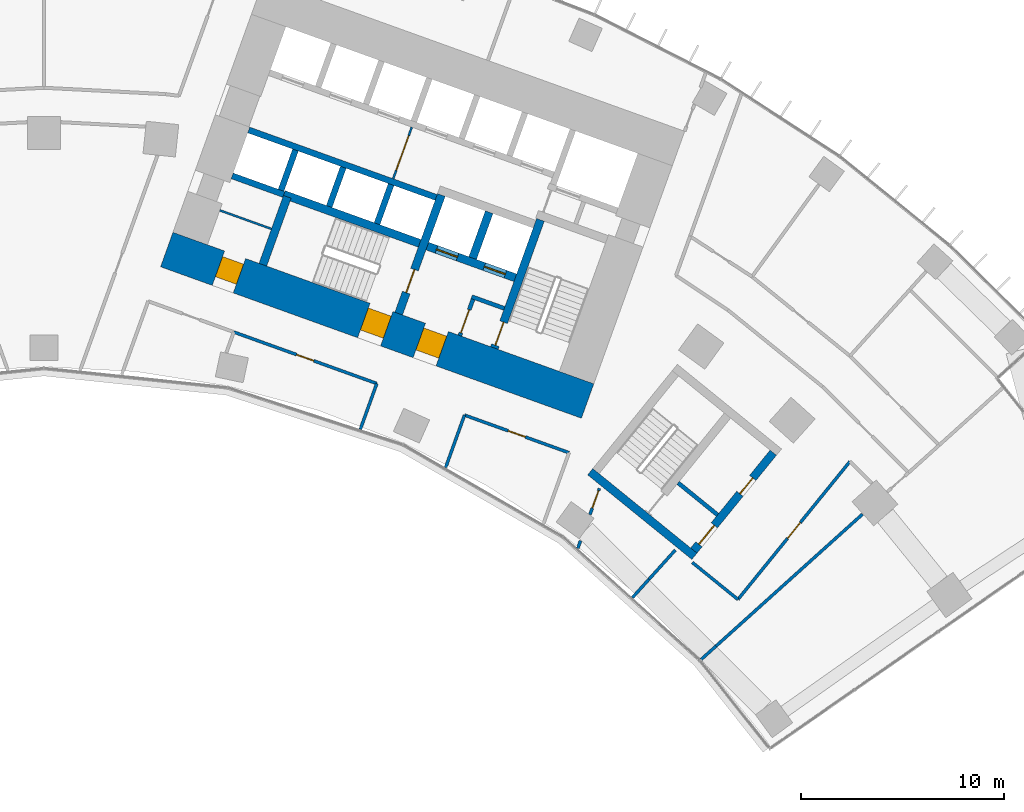
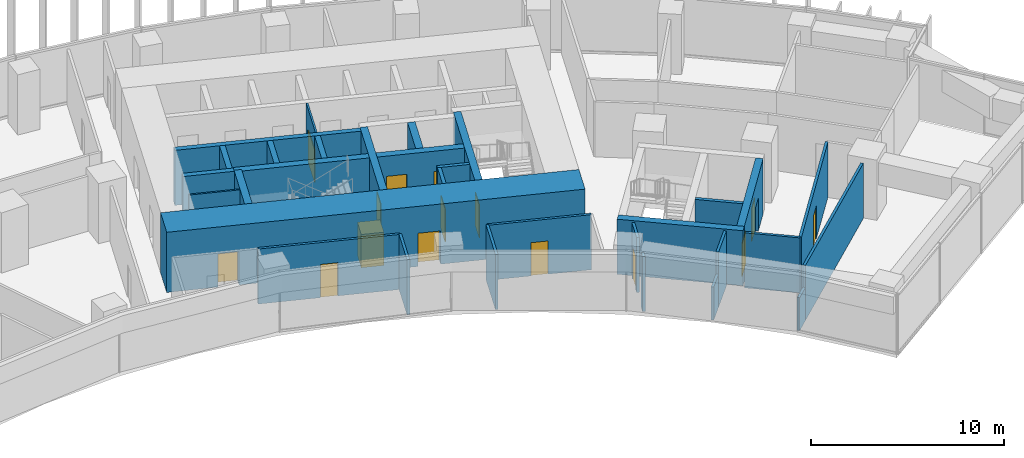
# One storey, part 20 of 24: 30 walls, 15 doors, 15 openings.
"""IFC4 building model written with IfcOpenShell, lengths in metres."""

from ifc_helpers import new_model, si_unit, direction, frame, frame_2d, origin, place, context, subcontext, project, spatial, rectangle, extrude, material, layer, layer_set, type_object, element, fill, save


model = new_model("IFC4")

# Units and contexts
model_context = context("Model", 3, precision=1e-05, world=origin(), true_north=direction((0.0, 1.0)))
body_context = subcontext(model_context, "Body", "Model", "MODEL_VIEW")
ifc_project = project(units=[si_unit("LENGTHUNIT", "METRE"), si_unit("AREAUNIT", "SQUARE_METRE"), si_unit("VOLUMEUNIT", "CUBIC_METRE"), si_unit("PLANEANGLEUNIT", "RADIAN"), si_unit("MASSUNIT", "GRAM", prefix="KILO")], contexts=[model_context])

# Site, building, storey
site_placement = place(None, origin())
site = spatial("IfcSite", under=ifc_project, at=site_placement, CompositionType="ELEMENT")
building_placement = place(site_placement, origin())
building = spatial("IfcBuilding", under=site, at=building_placement, Name="Stone Belt Terrace Tower", CompositionType="ELEMENT")
storey_placement = place(building_placement, frame((0.0, 0.0, 64.199951171875)))
storey = spatial("IfcBuildingStorey", under=building, at=storey_placement, Name="L15", CompositionType="ELEMENT", Elevation=64.199951171875)

# Wall, opening, door
ifc_material_1 = material(Name="Plasterboard partition")
ifc_layer_1 = layer(ifc_material_1, 0.10009765625)
ifc_layer_set_1 = layer_set([ifc_layer_1], Name="Core partition 100")
wall_type_1 = type_object("IfcWallType", Name="Core partition 100", PredefinedType="PARTITIONING", material=ifc_layer_set_1)
wall_1_placement = place(storey_placement, frame((17.17724609375, 52.749755859375, 0.0), z_axis=(0.0, 0.0, 1.0), x_axis=(0.338546555931, 0.940949642365, 0.0)))
wall_1 = element("IfcWall", 1, at=wall_1_placement, inside=storey, type_object=wall_type_1, Name="Core B wall", PredefinedType="PARTITIONING", context=body_context, shape_type="SweptSolid", body=[
    extrude(rectangle(XDim=2.699951171875, YDim=0.10009765625, at=frame_2d((1.35009765625, 0.0))), origin(), (0.0, 0.0, 1.0), 3.47998046875),
])
opening_1_placement = place(wall_1_placement, frame((0.449951171875, 0.0, 0.0)))
opening_1 = element("IfcOpeningElement", 2, at=opening_1_placement, cuts=wall_1, Name="Opening L15-C14", PredefinedType="OPENING", context=body_context, shape_type="SweptSolid", body=[
    extrude(rectangle(XDim=1.800048828125, YDim=2.10009765625, at=frame_2d((0.89990234375, 1.050048828125))), frame((0.0, 0.06005859375, 0.0), z_axis=(0.0, -1.0, 0.0), x_axis=(1.0, 0.0, 0.0)), (0.0, 0.0, 1.0), 0.1201171875),
])
ifc_material_2 = material(Name="Glazed aluminium door leaf", Category="aluminium")
door_type_1 = type_object("IfcDoorType", Name="Lift lobby entrance door 1800", OperationType="DOUBLE_DOOR_SINGLE_SWING", PredefinedType="DOOR", material=ifc_material_2)
door_1_placement = place(opening_1_placement, origin())
door_1 = element("IfcDoor", 3, at=door_1_placement, inside=storey, type_object=door_type_1, Name="Lift lobby double door core B", OperationType="DOUBLE_DOOR_SINGLE_SWING", OverallHeight=2.10009765625, OverallWidth=1.800048828125, PredefinedType="DOOR", context=body_context, shape_type="SweptSolid", body=[
    extrude(rectangle(XDim=1.800048828125, YDim=2.10009765625, at=frame_2d((0.89990234375, 1.050048828125))), frame((0.0, 0.02490234375, 0.0), z_axis=(0.0, -1.0, 0.0), x_axis=(1.0, 0.0, 0.0)), (0.0, 0.0, 1.0), 0.050048828125),
])
fill(opening_1, door_1)

# Wall
wall_2_placement = place(storey_placement, frame((11.187744140625, 50.2822265625, 0.0), z_axis=(0.0, 0.0, 1.0), x_axis=(-0.940949642365, 0.338546555931, 0.0)))
element("IfcWall", 4, at=wall_2_placement, inside=storey, type_object=wall_type_1, Name="Core B wall", PredefinedType="PARTITIONING", context=body_context, shape_type="SweptSolid", body=[
    extrude(rectangle(XDim=2.699951171875, YDim=0.10009765625, at=frame_2d((1.35009765625, 0.0))), origin(), (0.0, 0.0, 1.0), 3.47998046875),
])

# Wall, openings, doors
ifc_material_3 = material(Name="Concrete B80", Category="concrete")
ifc_layer_2 = layer(ifc_material_3, 1.800048828125)
ifc_layer_set_2 = layer_set([ifc_layer_2], Name="Core wall 1800 B80")
wall_type_2 = type_object("IfcWallType", Name="Core wall 1800 B80", PredefinedType="SHEAR", material=ifc_layer_set_2)
wall_3_placement = place(storey_placement, frame((6.039306640625, 49.265380859375, 0.0), z_axis=(0.0, 0.0, 1.0), x_axis=(0.940921642213, -0.338624368902, 0.0)))
wall_3 = element("IfcWall", 5, at=wall_3_placement, inside=storey, type_object=wall_type_2, Name="Core B wall concave L15", PredefinedType="SHEAR", context=body_context, shape_type="SweptSolid", body=[
    extrude(rectangle(XDim=22.0, YDim=1.800048828125, at=frame_2d((11.0, 0.0))), origin(), (0.0, 0.0, 1.0), 3.800048828125),
])
opening_2_placement = place(wall_3_placement, frame((13.199951171875, 0.0, 0.0)))
opening_2 = element("IfcOpeningElement", 6, at=opening_2_placement, cuts=wall_3, Name="Opening L15-C18", PredefinedType="OPENING", context=body_context, shape_type="SweptSolid", body=[
    extrude(rectangle(XDim=1.199951171875, YDim=2.10009765625, at=frame_2d((0.60009765625, 1.050048828125))), frame((0.0, 0.909912109375, 0.0), z_axis=(0.0, -1.0, 0.0), x_axis=(1.0, 0.0, 0.0)), (0.0, 0.0, 1.0), 1.820068359375),
])
opening_3_placement = place(wall_3_placement, frame((10.300048828125, 0.0, 0.0)))
opening_3 = element("IfcOpeningElement", 7, at=opening_3_placement, cuts=wall_3, Name="Opening L15-C20", PredefinedType="OPENING", context=body_context, shape_type="SweptSolid", body=[
    extrude(rectangle(XDim=1.199951171875, YDim=2.10009765625, at=frame_2d((0.60009765625, 1.050048828125))), frame((0.0, 0.909912109375, 0.0), z_axis=(0.0, -1.0, 0.0), x_axis=(1.0, 0.0, 0.0)), (0.0, 0.0, 1.0), 1.820068359375),
])
opening_4_placement = place(wall_3_placement, frame((2.699951171875, 0.0, 0.0)))
opening_4 = element("IfcOpeningElement", 8, at=opening_4_placement, cuts=wall_3, Name="Opening L15-C22", PredefinedType="OPENING", context=body_context, shape_type="SweptSolid", body=[
    extrude(rectangle(XDim=1.10009765625, YDim=2.10009765625, at=frame_2d((0.550048828125, 1.050048828125))), frame((0.0, 0.909912109375, 0.0), z_axis=(0.0, -1.0, 0.0), x_axis=(1.0, 0.0, 0.0)), (0.0, 0.0, 1.0), 1.820068359375),
])
ifc_material_4 = material(Name="Timber door leaf", Category="wood")
door_type_2 = type_object("IfcDoorType", Name="Core room door 1100", OperationType="SINGLE_SWING_LEFT", PredefinedType="DOOR", material=ifc_material_4)
door_2_placement = place(opening_4_placement, origin())
door_2 = element("IfcDoor", 9, at=door_2_placement, inside=storey, type_object=door_type_2, Name="Door to Cleaner's store core B", OperationType="SINGLE_SWING_RIGHT", OverallHeight=2.10009765625, OverallWidth=1.10009765625, PredefinedType="DOOR", context=body_context, shape_type="SweptSolid", body=[
    extrude(rectangle(XDim=1.10009765625, YDim=2.10009765625, at=frame_2d((0.550048828125, 1.050048828125))), frame((0.0, 0.60498046875, 0.0), z_axis=(0.0, -1.0, 0.0), x_axis=(1.0, 0.0, 0.0)), (0.0, 0.0, 1.0), 1.050048828125),
])
fill(opening_4, door_2)
ifc_material_5 = material(Name="Steel door leaf", Category="steel")
door_type_3 = type_object("IfcDoorType", Name="Fire-fighting lobby door 1200", OperationType="SINGLE_SWING_LEFT", PredefinedType="DOOR", material=ifc_material_5)
door_3_placement = place(opening_2_placement, origin())
door_3 = element("IfcDoor", 10, at=door_3_placement, inside=storey, type_object=door_type_3, Name="Fire-fighting lobby door core B", OperationType="SINGLE_SWING_RIGHT", OverallHeight=2.10009765625, OverallWidth=1.199951171875, PredefinedType="DOOR", context=body_context, shape_type="SweptSolid", body=[
    extrude(rectangle(XDim=1.199951171875, YDim=2.10009765625, at=frame_2d((0.60009765625, 1.050048828125))), frame((0.0, 0.655029296875, 0.0), z_axis=(0.0, -1.0, 0.0), x_axis=(1.0, 0.0, 0.0)), (0.0, 0.0, 1.0), 1.14990234375),
])
fill(opening_2, door_3)
door_type_4 = type_object("IfcDoorType", Name="Stair door 1200", OperationType="SINGLE_SWING_LEFT", PredefinedType="DOOR", material=ifc_material_5)
door_4_placement = place(opening_3_placement, origin())
door_4 = element("IfcDoor", 11, at=door_4_placement, inside=storey, type_object=door_type_4, Name="Stair 2 exit door core B", OperationType="SINGLE_SWING_LEFT", OverallHeight=2.10009765625, OverallWidth=1.199951171875, PredefinedType="DOOR", context=body_context, shape_type="SweptSolid", body=[
    extrude(rectangle(XDim=1.199951171875, YDim=2.10009765625, at=frame_2d((0.60009765625, 1.050048828125))), frame((0.0, 0.655029296875, 0.0), z_axis=(0.0, -1.0, 0.0), x_axis=(1.0, 0.0, 0.0)), (0.0, 0.0, 1.0), 1.14990234375),
])
fill(opening_3, door_4)

# Walls
ifc_layer_3 = layer(ifc_material_3, 0.39990234375)
ifc_layer_set_3 = layer_set([ifc_layer_3], Name="Fire-fighting lift shaft wall 400")
wall_type_3 = type_object("IfcWallType", Name="Fire-fighting lift shaft wall 400", PredefinedType="SHEAR", material=ifc_layer_set_3)
wall_4_placement = place(storey_placement, frame((21.0859375, 48.845458984375, 0.0), z_axis=(0.0, 0.0, 1.0), x_axis=(0.338629416206, 0.940919825745, 0.0)))
element("IfcWall", 12, at=wall_4_placement, inside=storey, type_object=wall_type_3, Name="Core B wall", PredefinedType="SHEAR", context=body_context, shape_type="SweptSolid", body=[
    extrude(rectangle(XDim=2.400146484375, YDim=0.39990234375, at=frame_2d((1.2001953125, 0.0))), origin(), (0.0, 0.0, 1.0), 3.47998046875),
])
ifc_layer_4 = layer(ifc_material_3, 0.300048828125)
ifc_layer_set_4 = layer_set([ifc_layer_4], Name="Lift shaft wall 300")
wall_type_4 = type_object("IfcWallType", Name="Lift shaft wall 300", PredefinedType="SHEAR", material=ifc_layer_set_4)
wall_5_placement = place(storey_placement, frame((19.29052734375, 51.829833984375, 0.0), z_axis=(0.0, 0.0, 1.0), x_axis=(-0.940925833398, 0.338612722803, 0.0)))
element("IfcWall", 13, at=wall_5_placement, inside=storey, type_object=wall_type_4, Name="Core B wall", PredefinedType="SHEAR", context=body_context, shape_type="SweptSolid", body=[
    extrude(rectangle(XDim=9.7998046875, YDim=0.300048828125, at=frame_2d((4.89990234375, 0.0))), origin(), (0.0, 0.0, 1.0), 3.47998046875),
])
for number, where, z_axis, x_axis, name in (
    (14, (16.38134765625, 50.53857421875, 0.0), (0.0, 0.0, 1.0), (0.338681515556, 0.940901073982, 0.0), "Core B wall"),
    (15, (14.029052734375, 51.38525390625, 0.0), (0.0, 0.0, 1.0), (0.338681515556, 0.940901073982, 0.0), "Core B wall"),
):
    element("IfcWall", number, at=place(storey_placement, frame(where, z_axis=z_axis, x_axis=x_axis)), inside=storey, type_object=wall_type_4, Name=name, PredefinedType="SHEAR", context=body_context, shape_type="SweptSolid", body=[
        extrude(rectangle(XDim=2.050048828125, YDim=0.300048828125, at=frame_2d((1.02490234375, 0.0))), origin(), (0.0, 0.0, 1.0), 3.47998046875),
    ])
wall_6_placement = place(storey_placement, frame((11.797119140625, 51.975830078125, 0.0), z_axis=(0.0, 0.0, 1.0), x_axis=(-0.940910465161, 0.33865542451, 0.0)))
element("IfcWall", 16, at=wall_6_placement, inside=storey, type_object=wall_type_4, Name="Core B wall", PredefinedType="SHEAR", context=body_context, shape_type="SweptSolid", body=[
    extrude(rectangle(XDim=2.69970703125, YDim=0.300048828125, at=frame_2d((1.349853515625, 0.0))), origin(), (0.0, 0.0, 1.0), 3.47998046875),
])
wall_7_placement = place(storey_placement, frame((11.659912109375, 52.184814453125, 0.0), z_axis=(0.0, 0.0, 1.0), x_axis=(0.338670064856, 0.940905195634, 0.0)))
element("IfcWall", 17, at=wall_7_placement, inside=storey, type_object=wall_type_4, Name="Core B wall", PredefinedType="SHEAR", context=body_context, shape_type="SweptSolid", body=[
    extrude(rectangle(XDim=2.099853515625, YDim=0.300048828125, at=frame_2d((1.0498046875, 0.0))), origin(), (0.0, 0.0, 1.0), 3.47998046875),
])

# Wall, opening, door
ifc_material_6 = material(Name="Gypsum board partition")
ifc_layer_5 = layer(ifc_material_6, 0.14990234375)
ifc_layer_set_5 = layer_set([ifc_layer_5], Name="PARTITION 150 EI 60")
wall_type_5 = type_object("IfcWallType", Name="PARTITION 150 EI 60", PredefinedType="PARTITIONING", material=ifc_layer_set_5)
wall_8_placement = place(storey_placement, frame((27.320068359375, 37.52099609375, 0.0), z_axis=(0.0, 0.0, 1.0), x_axis=(-0.339003916963, -0.940784961765, 0.0)))
wall_8 = element("IfcWall", 18, at=wall_8_placement, inside=storey, type_object=wall_type_5, Name="L15/wall/i026", PredefinedType="PARTITIONING", context=body_context, shape_type="SweptSolid", body=[
    extrude(rectangle(XDim=1.36767578125, YDim=0.14990234375, at=frame_2d((0.683837890625, 0.0))), origin(), (0.0, 0.0, 1.0), 3.47998046875),
])
opening_5_placement = place(wall_8_placement, frame((0.126220703125, 0.0, 0.0)))
opening_5 = element("IfcOpeningElement", 19, at=opening_5_placement, cuts=wall_8, Name="Opening D-A4-22", PredefinedType="OPENING", context=body_context, shape_type="SweptSolid", body=[
    extrude(rectangle(XDim=0.89990234375, YDim=2.10009765625, at=frame_2d((0.449951171875, 1.050048828125))), frame((0.0, 0.0849609375, 0.0), z_axis=(0.0, -1.0, 0.0), x_axis=(1.0, 0.0, 0.0)), (0.0, 0.0, 1.0), 0.169921875),
])
ifc_material_7 = material(Name="Timber fire door leaf", Category="wood")
door_type_5 = type_object("IfcDoorType", Name="TENANCY ENTRANCE DOOR 900 X 2100", OperationType="NOTDEFINED", PredefinedType="DOOR", material=ifc_material_7)
door_5_placement = place(opening_5_placement, origin())
door_5 = element("IfcDoor", 20, at=door_5_placement, inside=storey, type_object=door_type_5, Name="L15/door/i22", OperationType="SINGLE_SWING_LEFT", OverallHeight=2.10009765625, OverallWidth=0.89990234375, PredefinedType="DOOR", context=body_context, shape_type="SweptSolid", body=[
    extrude(rectangle(XDim=0.89990234375, YDim=2.10009765625, at=frame_2d((0.449951171875, 1.050048828125))), frame((0.0, 0.02490234375, 0.0), z_axis=(0.0, -1.0, 0.0), x_axis=(1.0, 0.0, 0.0)), (0.0, 0.0, 1.0), 0.050048828125),
])
fill(opening_5, door_5)

# Walls
wall_9_placement = place(storey_placement, frame((26.389892578125, 34.93994140625, 0.0), z_axis=(0.0, 0.0, 1.0), x_axis=(-0.338984730138, -0.940791875355, 0.0)))
element("IfcWall", 21, at=wall_9_placement, inside=storey, type_object=wall_type_5, Name="L15/wall/i027-2", PredefinedType="PARTITIONING", context=body_context, shape_type="SweptSolid", body=[
    extrude(rectangle(XDim=0.39111328125, YDim=0.14990234375, at=frame_2d((0.195556640625, 0.0))), origin(), (0.0, 0.0, 1.0), 3.47998046875),
])
wall_10_placement = place(storey_placement, frame((15.56201171875, 40.431640625, 0.0), z_axis=(0.0, 0.0, 1.0), x_axis=(0.338766581984, 0.9408704496, 0.0)))
element("IfcWall", 22, at=wall_10_placement, inside=storey, type_object=wall_type_5, Name="L15/wall/i031", PredefinedType="PARTITIONING", context=body_context, shape_type="SweptSolid", body=[
    extrude(rectangle(XDim=2.385498046875, YDim=0.14990234375, at=frame_2d((1.19287109375, 0.0))), origin(), (0.0, 0.0, 1.0), 3.47998046875),
])

# Wall, opening, door
wall_11_placement = place(storey_placement, frame((16.368896484375, 42.678955078125, 0.0), z_axis=(0.0, 0.0, 1.0), x_axis=(-0.940945636493, 0.338557689565, 0.0)))
wall_11 = element("IfcWall", 23, at=wall_11_placement, inside=storey, type_object=wall_type_5, Name="L15/wall/i032", PredefinedType="PARTITIONING", context=body_context, shape_type="SweptSolid", body=[
    extrude(rectangle(XDim=7.481689453125, YDim=0.14990234375, at=frame_2d((3.74072265625, 0.0))), origin(), (0.0, 0.0, 1.0), 3.47998046875),
])
opening_6_placement = place(wall_11_placement, frame((3.291015625, 0.0, 0.0)))
opening_6 = element("IfcOpeningElement", 24, at=opening_6_placement, cuts=wall_11, Name="Opening D-A4-08", PredefinedType="OPENING", context=body_context, shape_type="SweptSolid", body=[
    extrude(rectangle(XDim=0.89990234375, YDim=2.10009765625, at=frame_2d((0.449951171875, 1.050048828125))), frame((0.0, 0.0849609375, 0.0), z_axis=(0.0, -1.0, 0.0), x_axis=(1.0, 0.0, 0.0)), (0.0, 0.0, 1.0), 0.169921875),
])
door_type_6 = type_object("IfcDoorType", Name="OFFICE DOOR 900 X 2100", OperationType="NOTDEFINED", PredefinedType="DOOR", material=ifc_material_4)
door_6_placement = place(opening_6_placement, origin())
door_6 = element("IfcDoor", 25, at=door_6_placement, inside=storey, type_object=door_type_6, Name="L15/door/i08", OperationType="SINGLE_SWING_RIGHT", OverallHeight=2.10009765625, OverallWidth=0.89990234375, PredefinedType="DOOR", context=body_context, shape_type="SweptSolid", body=[
    extrude(rectangle(XDim=0.89990234375, YDim=2.10009765625, at=frame_2d((0.449951171875, 1.050048828125))), frame((0.0, 0.02490234375, 0.0), z_axis=(0.0, -1.0, 0.0), x_axis=(1.0, 0.0, 0.0)), (0.0, 0.0, 1.0), 0.050048828125),
])
fill(opening_6, door_6)

wall_12_placement = place(storey_placement, frame((25.823974609375, 39.27490234375, 0.0), z_axis=(0.0, 0.0, 1.0), x_axis=(-0.940898242366, 0.338689382048, 0.0)))
wall_12 = element("IfcWall", 26, at=wall_12_placement, inside=storey, type_object=wall_type_5, Name="L15/wall/i033", PredefinedType="PARTITIONING", context=body_context, shape_type="SweptSolid", body=[
    extrude(rectangle(XDim=5.459716796875, YDim=0.14990234375, at=frame_2d((2.72998046875, 0.0))), origin(), (0.0, 0.0, 1.0), 3.47998046875),
])
opening_7_placement = place(wall_12_placement, frame((2.27978515625, 0.0, 0.0)))
opening_7 = element("IfcOpeningElement", 27, at=opening_7_placement, cuts=wall_12, Name="Opening D-A4-09", PredefinedType="OPENING", context=body_context, shape_type="SweptSolid", body=[
    extrude(rectangle(XDim=0.89990234375, YDim=2.10009765625, at=frame_2d((0.449951171875, 1.050048828125))), frame((0.0, 0.0849609375, 0.0), z_axis=(0.0, -1.0, 0.0), x_axis=(1.0, 0.0, 0.0)), (0.0, 0.0, 1.0), 0.169921875),
])
door_7_placement = place(opening_7_placement, origin())
door_7 = element("IfcDoor", 28, at=door_7_placement, inside=storey, type_object=door_type_6, Name="L15/door/i09", OperationType="SINGLE_SWING_RIGHT", OverallHeight=2.10009765625, OverallWidth=0.89990234375, PredefinedType="DOOR", context=body_context, shape_type="SweptSolid", body=[
    extrude(rectangle(XDim=0.89990234375, YDim=2.10009765625, at=frame_2d((0.449951171875, 1.050048828125))), frame((0.0, 0.02490234375, 0.0), z_axis=(0.0, -1.0, 0.0), x_axis=(1.0, 0.0, 0.0)), (0.0, 0.0, 1.0), 0.050048828125),
])
fill(opening_7, door_7)

# Walls
wall_13_placement = place(storey_placement, frame((20.68408203125, 41.123046875, 0.0), z_axis=(0.0, 0.0, 1.0), x_axis=(-0.338747893052, -0.940877178463, 0.0)))
element("IfcWall", 29, at=wall_13_placement, inside=storey, type_object=wall_type_5, Name="L15/wall/i034", PredefinedType="PARTITIONING", context=body_context, shape_type="SweptSolid", body=[
    extrude(rectangle(XDim=2.7373046875, YDim=0.14990234375, at=frame_2d((1.36865234375, 0.0))), origin(), (0.0, 0.0, 1.0), 3.47998046875),
])
wall_14_placement = place(storey_placement, frame((32.32666015625, 29.107177734375, 0.0), z_axis=(0.0, 0.0, 1.0), x_axis=(0.743094116108, 0.669186920528, 0.0)))
element("IfcWall", 30, at=wall_14_placement, inside=storey, type_object=wall_type_5, Name="L15/wall/i060-1", PredefinedType="PARTITIONING", context=body_context, shape_type="SweptSolid", body=[
    extrude(rectangle(XDim=0.97119140625, YDim=0.14990234375, at=frame_2d((0.485595703125, 0.0))), origin(), (0.0, 0.0, 1.0), 2.080078125),
])
wall_15_placement = place(storey_placement, frame((33.04833984375, 29.757080078125, 0.0), z_axis=(0.0, 0.0, 1.0), x_axis=(0.743128906003, 0.669148286304, 0.0)))
element("IfcWall", 31, at=wall_15_placement, inside=storey, type_object=wall_type_5, Name="L15/wall/i060-2", PredefinedType="PARTITIONING", context=body_context, shape_type="SweptSolid", body=[
    extrude(rectangle(XDim=9.698974609375, YDim=0.14990234375, at=frame_2d((4.849609375, 0.0))), origin(), (0.0, 0.0, 1.0), 3.47998046875),
])

# Wall, opening, door
wall_16_placement = place(storey_placement, frame((39.64306640625, 38.843994140625, 0.0), z_axis=(0.0, 0.0, 1.0), x_axis=(-0.630226712005, -0.776411161354, 0.0)))
wall_16 = element("IfcWall", 32, at=wall_16_placement, inside=storey, type_object=wall_type_5, Name="L15/wall/i067", PredefinedType="PARTITIONING", context=body_context, shape_type="SweptSolid", body=[
    extrude(rectangle(XDim=8.742919921875, YDim=0.14990234375, at=frame_2d((4.37158203125, 0.0))), origin(), (0.0, 0.0, 1.0), 3.47998046875),
])
opening_8_placement = place(wall_16_placement, frame((3.871337890625, 0.0, 0.0)))
opening_8 = element("IfcOpeningElement", 33, at=opening_8_placement, cuts=wall_16, Name="Opening D-A4-23", PredefinedType="OPENING", context=body_context, shape_type="SweptSolid", body=[
    extrude(rectangle(XDim=1.0, YDim=2.10009765625, at=frame_2d((0.5, 1.050048828125))), frame((0.0, 0.0849609375, 0.0), z_axis=(0.0, -1.0, 0.0), x_axis=(1.0, 0.0, 0.0)), (0.0, 0.0, 1.0), 0.169921875),
])
door_type_7 = type_object("IfcDoorType", Name="TENANCY ENTRANCE DOOR 1000 X 2100", OperationType="NOTDEFINED", PredefinedType="DOOR", material=ifc_material_7)
door_8_placement = place(opening_8_placement, origin())
door_8 = element("IfcDoor", 34, at=door_8_placement, inside=storey, type_object=door_type_7, Name="L15/door/i23", OperationType="SINGLE_SWING_RIGHT", OverallHeight=2.10009765625, OverallWidth=1.0, PredefinedType="DOOR", context=body_context, shape_type="SweptSolid", body=[
    extrude(rectangle(XDim=1.0, YDim=2.10009765625, at=frame_2d((0.5, 1.050048828125))), frame((0.0, 0.02490234375, 0.0), z_axis=(0.0, -1.0, 0.0), x_axis=(1.0, 0.0, 0.0)), (0.0, 0.0, 1.0), 0.050048828125),
])
fill(opening_8, door_8)

# Walls
wall_17_placement = place(storey_placement, frame((34.133056640625, 32.055908203125, 0.0), z_axis=(0.0, 0.0, 1.0), x_axis=(-0.776369956068, 0.630277471686, 0.0)))
element("IfcWall", 35, at=wall_17_placement, inside=storey, type_object=wall_type_5, Name="L15/wall/i068", PredefinedType="PARTITIONING", context=body_context, shape_type="SweptSolid", body=[
    extrude(rectangle(XDim=2.8876953125, YDim=0.14990234375, at=frame_2d((1.44384765625, 0.0))), origin(), (0.0, 0.0, 1.0), 3.47998046875),
])
wall_18_placement = place(storey_placement, frame((31.054931640625, 34.489990234375, 0.0), z_axis=(0.0, 0.0, 1.0), x_axis=(-0.66908960825, -0.743181738293, 0.0)))
element("IfcWall", 36, at=wall_18_placement, inside=storey, type_object=wall_type_5, Name="L15/wall/i069-1", PredefinedType="PARTITIONING", context=body_context, shape_type="SweptSolid", body=[
    extrude(rectangle(XDim=1.944091796875, YDim=0.14990234375, at=frame_2d((0.97216796875, 0.0))), origin(), (0.0, 0.0, 1.0), 3.47998046875),
])
wall_19_placement = place(storey_placement, frame((29.754150390625, 33.045166015625, 0.0), z_axis=(0.0, 0.0, 1.0), x_axis=(-0.669166181202, -0.743112792203, 0.0)))
element("IfcWall", 37, at=wall_19_placement, inside=storey, type_object=wall_type_5, Name="L15/wall/i069-2", PredefinedType="PARTITIONING", context=body_context, shape_type="SweptSolid", body=[
    extrude(rectangle(XDim=1.205078125, YDim=0.14990234375, at=frame_2d((0.6025390625, 0.0))), origin(), (0.0, 0.0, 1.0), 2.080078125),
])
ifc_material_8 = material(Name="Concrete masonry block", Category="masonry")
ifc_layer_6 = layer(ifc_material_8, 0.199951171875)
ifc_layer_set_6 = layer_set([ifc_layer_6], Name="Rated lobby wall 200")
wall_type_6 = type_object("IfcWallType", Name="Rated lobby wall 200", PredefinedType="PARTITIONING", material=ifc_layer_set_6)
wall_20_placement = place(storey_placement, frame((22.640625, 46.373046875, 0.0), z_axis=(0.0, 0.0, 1.0), x_axis=(-0.940966110313, 0.338500781747, 0.0)))
element("IfcWall", 38, at=wall_20_placement, inside=storey, type_object=wall_type_6, Name="Core B wall", PredefinedType="PARTITIONING", context=body_context, shape_type="SweptSolid", body=[
    extrude(rectangle(XDim=1.699951171875, YDim=0.199951171875, at=frame_2d((0.85009765625, 0.0))), origin(), (0.0, 0.0, 1.0), 3.47998046875),
])

# Wall, opening, door
wall_21_placement = place(storey_placement, frame((20.4580078125, 45.032958984375, 0.0), z_axis=(0.0, 0.0, 1.0), x_axis=(0.338573865316, 0.940939816208, 0.0)))
wall_21 = element("IfcWall", 39, at=wall_21_placement, inside=storey, type_object=wall_type_6, Name="Core B wall", PredefinedType="PARTITIONING", context=body_context, shape_type="SweptSolid", body=[
    extrude(rectangle(XDim=1.900146484375, YDim=0.199951171875, at=frame_2d((0.9501953125, 0.0))), origin(), (0.0, 0.0, 1.0), 3.47998046875),
])
opening_9_placement = place(wall_21_placement, frame((0.14990234375, 0.0, 0.0)))
opening_9 = element("IfcOpeningElement", 40, at=opening_9_placement, cuts=wall_21, Name="Opening L15-C17", PredefinedType="OPENING", context=body_context, shape_type="SweptSolid", body=[
    extrude(rectangle(XDim=1.199951171875, YDim=2.10009765625, at=frame_2d((0.60009765625, 1.050048828125))), frame((0.0, 0.10986328125, 0.0), z_axis=(0.0, -1.0, 0.0), x_axis=(1.0, 0.0, 0.0)), (0.0, 0.0, 1.0), 0.219970703125),
])
door_9_placement = place(opening_9_placement, origin())
door_9 = element("IfcDoor", 41, at=door_9_placement, inside=storey, type_object=door_type_4, Name="Stair airlock door core B", OperationType="SINGLE_SWING_RIGHT", OverallHeight=2.10009765625, OverallWidth=1.199951171875, PredefinedType="DOOR", context=body_context, shape_type="SweptSolid", body=[
    extrude(rectangle(XDim=1.199951171875, YDim=2.10009765625, at=frame_2d((0.60009765625, 1.050048828125))), frame((0.0, 0.02490234375, 0.0), z_axis=(0.0, -1.0, 0.0), x_axis=(1.0, 0.0, 0.0)), (0.0, 0.0, 1.0), 0.050048828125),
])
fill(opening_9, door_9)

# Wall
wall_22_placement = place(storey_placement, frame((31.190673828125, 37.79296875, 0.0), z_axis=(0.0, 0.0, 1.0), x_axis=(0.776370830301, -0.630276394813, 0.0)))
element("IfcWall", 42, at=wall_22_placement, inside=storey, type_object=wall_type_6, Name="Exit stair ST3B wall", PredefinedType="PARTITIONING", context=body_context, shape_type="SweptSolid", body=[
    extrude(rectangle(XDim=2.5, YDim=0.199951171875, at=frame_2d((1.25, 0.0))), origin(), (0.0, 0.0, 1.0), 3.47998046875),
])

# Wall, opening, door
ifc_layer_7 = layer(ifc_material_3, 0.39990234375)
ifc_layer_set_7 = layer_set([ifc_layer_7], Name="Stair enclosure wall 400")
wall_type_7 = type_object("IfcWallType", Name="Stair enclosure wall 400", PredefinedType="SHEAR", material=ifc_layer_set_7)
wall_23_placement = place(storey_placement, frame((22.151611328125, 44.42333984375, 0.0), z_axis=(0.0, 0.0, 1.0), x_axis=(0.338625272931, 0.940921316866, 0.0)))
wall_23 = element("IfcWall", 43, at=wall_23_placement, inside=storey, type_object=wall_type_7, Name="Core B wall", PredefinedType="SHEAR", context=body_context, shape_type="SweptSolid", body=[
    extrude(rectangle(XDim=6.699951171875, YDim=0.39990234375, at=frame_2d((3.35009765625, 0.0))), origin(), (0.0, 0.0, 1.0), 3.47998046875),
])
opening_10_placement = place(wall_23_placement, frame((0.14990234375, 0.0, 0.0)))
opening_10 = element("IfcOpeningElement", 44, at=opening_10_placement, cuts=wall_23, Name="Opening L15-C16", PredefinedType="OPENING", context=body_context, shape_type="SweptSolid", body=[
    extrude(rectangle(XDim=1.199951171875, YDim=2.10009765625, at=frame_2d((0.60009765625, 1.050048828125))), frame((0.0, 0.2099609375, 0.0), z_axis=(0.0, -1.0, 0.0), x_axis=(1.0, 0.0, 0.0)), (0.0, 0.0, 1.0), 0.419921875),
])
door_10_placement = place(opening_10_placement, origin())
door_10 = element("IfcDoor", 45, at=door_10_placement, inside=storey, type_object=door_type_4, Name="Stair 1 door core B", OperationType="SINGLE_SWING_RIGHT", OverallHeight=2.10009765625, OverallWidth=1.199951171875, PredefinedType="DOOR", context=body_context, shape_type="SweptSolid", body=[
    extrude(rectangle(XDim=1.199951171875, YDim=2.10009765625, at=frame_2d((0.60009765625, 1.050048828125))), frame((0.0, 0.02490234375, 0.0), z_axis=(0.0, -1.0, 0.0), x_axis=(1.0, 0.0, 0.0)), (0.0, 0.0, 1.0), 0.050048828125),
])
fill(opening_10, door_10)

# Wall, openings, doors
wall_24_placement = place(storey_placement, frame((23.182373046875, 47.87841796875, 0.0), z_axis=(0.0, 0.0, 1.0), x_axis=(-0.940921101762, 0.338625870628, 0.0)))
wall_24 = element("IfcWall", 46, at=wall_24_placement, inside=storey, type_object=wall_type_7, Name="Core B wall", PredefinedType="SHEAR", context=body_context, shape_type="SweptSolid", body=[
    extrude(rectangle(XDim=12.10009765625, YDim=0.39990234375, at=frame_2d((6.050048828125, 0.0))), origin(), (0.0, 0.0, 1.0), 3.47998046875),
])
opening_11_placement = place(wall_24_placement, frame((0.52001953125, 0.0, 0.0)))
opening_11 = element("IfcOpeningElement", 47, at=opening_11_placement, cuts=wall_24, Name="Opening L15-LD16", PredefinedType="OPENING", context=body_context, shape_type="SweptSolid", body=[
    extrude(rectangle(XDim=1.10009765625, YDim=2.199951171875, at=frame_2d((0.550048828125, 1.10009765625))), frame((0.0, 0.2099609375, 0.0), z_axis=(0.0, -1.0, 0.0), x_axis=(1.0, 0.0, 0.0)), (0.0, 0.0, 1.0), 0.419921875),
])
opening_12_placement = place(wall_24_placement, frame((3.02001953125, 0.0, 0.0)))
opening_12 = element("IfcOpeningElement", 48, at=opening_12_placement, cuts=wall_24, Name="Opening L15-LD17", PredefinedType="OPENING", context=body_context, shape_type="SweptSolid", body=[
    extrude(rectangle(XDim=1.10009765625, YDim=2.199951171875, at=frame_2d((0.550048828125, 1.10009765625))), frame((0.0, 0.2099609375, 0.0), z_axis=(0.0, -1.0, 0.0), x_axis=(1.0, 0.0, 0.0)), (0.0, 0.0, 1.0), 0.419921875),
])
ifc_material_9 = material(Name="Stainless steel door leaf", Category="steel")
door_type_8 = type_object("IfcDoorType", Name="Landing door 1100", OperationType="SLIDING_TO_LEFT", PredefinedType="DOOR", material=ifc_material_9)
door_11_placement = place(opening_11_placement, origin())
door_11 = element("IfcDoor", 49, at=door_11_placement, inside=storey, type_object=door_type_8, Name="Landing door FF1 core B", OperationType="SLIDING_TO_LEFT", OverallHeight=2.199951171875, OverallWidth=1.10009765625, PredefinedType="DOOR", context=body_context, shape_type="SweptSolid", body=[
    extrude(rectangle(XDim=1.10009765625, YDim=2.199951171875, at=frame_2d((0.550048828125, 1.10009765625))), frame((0.0, 0.02490234375, 0.0), z_axis=(0.0, -1.0, 0.0), x_axis=(1.0, 0.0, 0.0)), (0.0, 0.0, 1.0), 0.050048828125),
])
fill(opening_11, door_11)
door_12_placement = place(opening_12_placement, origin())
door_12 = element("IfcDoor", 50, at=door_12_placement, inside=storey, type_object=door_type_8, Name="Landing door FF2 core B", OperationType="SLIDING_TO_LEFT", OverallHeight=2.199951171875, OverallWidth=1.10009765625, PredefinedType="DOOR", context=body_context, shape_type="SweptSolid", body=[
    extrude(rectangle(XDim=1.10009765625, YDim=2.199951171875, at=frame_2d((0.550048828125, 1.10009765625))), frame((0.0, 0.02490234375, 0.0), z_axis=(0.0, -1.0, 0.0), x_axis=(1.0, 0.0, 0.0)), (0.0, 0.0, 1.0), 0.050048828125),
])
fill(opening_12, door_12)

# Wall, opening, door
wall_25_placement = place(storey_placement, frame((17.447021484375, 46.116455078125, 0.0), z_axis=(0.0, 0.0, 1.0), x_axis=(0.33860791464, 0.940927563707, 0.0)))
wall_25 = element("IfcWall", 51, at=wall_25_placement, inside=storey, type_object=wall_type_7, Name="Core B wall", PredefinedType="SHEAR", context=body_context, shape_type="SweptSolid", body=[
    extrude(rectangle(XDim=6.199951171875, YDim=0.39990234375, at=frame_2d((3.10009765625, 0.0))), origin(), (0.0, 0.0, 1.0), 3.47998046875),
])
opening_13_placement = place(wall_25_placement, frame((1.10009765625, 0.0, 0.0)))
opening_13 = element("IfcOpeningElement", 52, at=opening_13_placement, cuts=wall_25, Name="Opening L15-C19", PredefinedType="OPENING", context=body_context, shape_type="SweptSolid", body=[
    extrude(rectangle(XDim=1.199951171875, YDim=2.10009765625, at=frame_2d((0.60009765625, 1.050048828125))), frame((0.0, 0.2099609375, 0.0), z_axis=(0.0, -1.0, 0.0), x_axis=(1.0, 0.0, 0.0)), (0.0, 0.0, 1.0), 0.419921875),
])
door_13_placement = place(opening_13_placement, origin())
door_13 = element("IfcDoor", 53, at=door_13_placement, inside=storey, type_object=door_type_4, Name="Stair 2 door core B", OperationType="SINGLE_SWING_RIGHT", OverallHeight=2.10009765625, OverallWidth=1.199951171875, PredefinedType="DOOR", context=body_context, shape_type="SweptSolid", body=[
    extrude(rectangle(XDim=1.199951171875, YDim=2.10009765625, at=frame_2d((0.60009765625, 1.050048828125))), frame((0.0, 0.02490234375, 0.0), z_axis=(0.0, -1.0, 0.0), x_axis=(1.0, 0.0, 0.0)), (0.0, 0.0, 1.0), 0.050048828125),
])
fill(opening_13, door_13)

# Walls
wall_26_placement = place(storey_placement, frame((10.766357421875, 48.520751953125, 0.0), z_axis=(0.0, 0.0, 1.0), x_axis=(0.338626928157, 0.94092072117, 0.0)))
element("IfcWall", 54, at=wall_26_placement, inside=storey, type_object=wall_type_7, Name="Core B wall", PredefinedType="SHEAR", context=body_context, shape_type="SweptSolid", body=[
    extrude(rectangle(XDim=3.550048828125, YDim=0.39990234375, at=frame_2d((1.77490234375, 0.0))), origin(), (0.0, 0.0, 1.0), 3.47998046875),
])
wall_27_placement = place(storey_placement, frame((26.868408203125, 38.3388671875, 0.0), z_axis=(0.0, 0.0, 1.0), x_axis=(0.776428452498, -0.630205409491, 0.0)))
element("IfcWall", 55, at=wall_27_placement, inside=storey, type_object=wall_type_7, Name="Exit stair ST3B wall", PredefinedType="SHEAR", context=body_context, shape_type="SweptSolid", body=[
    extrude(rectangle(XDim=6.60009765625, YDim=0.39990234375, at=frame_2d((3.300048828125, 0.0))), origin(), (0.0, 0.0, 1.0), 3.47998046875),
])

# Wall, openings, doors
wall_28_placement = place(storey_placement, frame((31.963623046875, 34.460693359375, 0.0), z_axis=(0.0, 0.0, 1.0), x_axis=(0.630192283849, 0.776439106033, 0.0)))
wall_28 = element("IfcWall", 56, at=wall_28_placement, inside=storey, type_object=wall_type_7, Name="Exit stair ST3B wall", PredefinedType="SHEAR", context=body_context, shape_type="SweptSolid", body=[
    extrude(rectangle(XDim=6.199951171875, YDim=0.39990234375, at=frame_2d((3.10009765625, 0.0))), origin(), (0.0, 0.0, 1.0), 3.47998046875),
])
opening_14_placement = place(wall_28_placement, frame((0.39990234375, 0.0, 0.0)))
opening_14 = element("IfcOpeningElement", 57, at=opening_14_placement, cuts=wall_28, Name="Opening L15-C27", PredefinedType="OPENING", context=body_context, shape_type="SweptSolid", body=[
    extrude(rectangle(XDim=1.199951171875, YDim=2.10009765625, at=frame_2d((0.60009765625, 1.050048828125))), frame((0.0, 0.2099609375, 0.0), z_axis=(0.0, -1.0, 0.0), x_axis=(1.0, 0.0, 0.0)), (0.0, 0.0, 1.0), 0.419921875),
])
opening_15_placement = place(wall_28_placement, frame((3.60009765625, 0.0, 0.0)))
opening_15 = element("IfcOpeningElement", 58, at=opening_15_placement, cuts=wall_28, Name="Opening L15-C28", PredefinedType="OPENING", context=body_context, shape_type="SweptSolid", body=[
    extrude(rectangle(XDim=1.0, YDim=2.10009765625, at=frame_2d((0.5, 1.050048828125))), frame((0.0, 0.2099609375, 0.0), z_axis=(0.0, -1.0, 0.0), x_axis=(1.0, 0.0, 0.0)), (0.0, 0.0, 1.0), 0.419921875),
])
door_type_9 = type_object("IfcDoorType", Name="Core room door 1000", OperationType="SINGLE_SWING_LEFT", PredefinedType="DOOR", material=ifc_material_4)
door_14_placement = place(opening_15_placement, origin())
door_14 = element("IfcDoor", 59, at=door_14_placement, inside=storey, type_object=door_type_9, Name="Door to stair pressurisation plant room ST3B", OperationType="SINGLE_SWING_LEFT", OverallHeight=2.10009765625, OverallWidth=1.0, PredefinedType="DOOR", context=body_context, shape_type="SweptSolid", body=[
    extrude(rectangle(XDim=1.0, YDim=2.10009765625, at=frame_2d((0.5, 1.050048828125))), frame((0.0, 0.02490234375, 0.0), z_axis=(0.0, -1.0, 0.0), x_axis=(1.0, 0.0, 0.0)), (0.0, 0.0, 1.0), 0.050048828125),
])
fill(opening_15, door_14)
door_type_10 = type_object("IfcDoorType", Name="Stair airlock door 1200", OperationType="SINGLE_SWING_LEFT", PredefinedType="DOOR", material=ifc_material_5)
door_15_placement = place(opening_14_placement, origin())
door_15 = element("IfcDoor", 60, at=door_15_placement, inside=storey, type_object=door_type_10, Name="Stair airlock door ST3B", OperationType="SINGLE_SWING_LEFT", OverallHeight=2.10009765625, OverallWidth=1.199951171875, PredefinedType="DOOR", context=body_context, shape_type="SweptSolid", body=[
    extrude(rectangle(XDim=1.199951171875, YDim=2.10009765625, at=frame_2d((0.60009765625, 1.050048828125))), frame((0.0, 0.02490234375, 0.0), z_axis=(0.0, -1.0, 0.0), x_axis=(1.0, 0.0, 0.0)), (0.0, 0.0, 1.0), 0.050048828125),
])
fill(opening_14, door_15)

save(model, "model.ifc")
